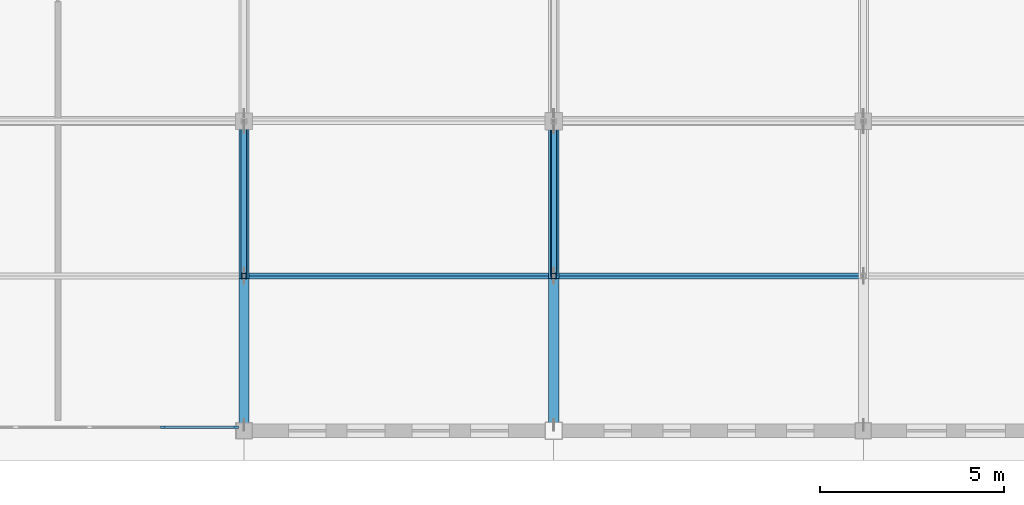
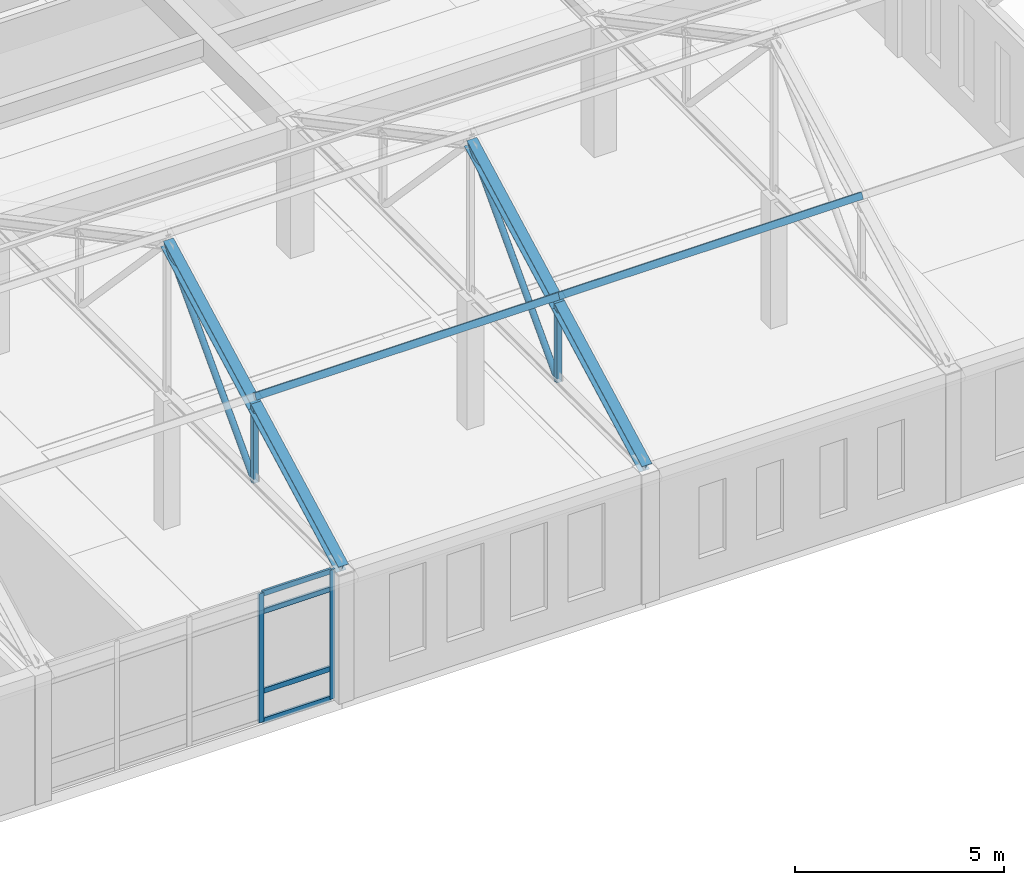
# One storey, part 8 of 47: 16 members, 1 element without a shape of its own.
"""IFC4 building model written with IfcOpenShell, lengths in metres."""

import ifcopenshell
import ifcopenshell.guid

model = None  # the IFC model being written
_history = None  # IfcOwnerHistory: only IFC2X3 demands one
_inside = {}  # id of a spatial element -> (the spatial element, [elements in it])
_under = {}  # id of a project, library or spatial element -> (it, [spatial elements below it])
_declared = {}  # id of a project -> (the project, [libraries it declares])
_typed = {}  # id of a type object -> (the type object, [elements of that type])
_made_of = {}  # id of a material, layer set ... -> (it, [elements and type objects made of it])


def new_model(schema):
    """Start an empty IFC model of exactly this schema.

    Asked for "IFC4X3", IfcOpenShell would pick the latest addendum, in which some entities
    have other attributes; the version numbers below select the first issue.
    IFC2X3 requires an IfcOwnerHistory on every rooted entity: one is made here for all.
    """
    global model, _history
    if schema == "IFC4X3":
        model = ifcopenshell.file(schema_version=(4, 3, 0, 0))
    else:
        model = ifcopenshell.file(schema=schema)
    _inside.clear()
    _under.clear()
    _declared.clear()
    _typed.clear()
    _made_of.clear()
    _history = None
    if model.schema == "IFC2X3":
        org = make("IfcOrganization", Name="unknown")
        user = make(
            "IfcPersonAndOrganization",
            ThePerson=make("IfcPerson", FamilyName="unknown"),
            TheOrganization=org,
        )
        app = make(
            "IfcApplication",
            ApplicationDeveloper=org,
            Version="unknown",
            ApplicationFullName="unknown",
            ApplicationIdentifier="unknown",
        )
        _history = make(
            "IfcOwnerHistory",
            OwningUser=user,
            OwningApplication=app,
            ChangeAction="ADDED",
            CreationDate=0,
        )
    return model


def make(cls, **values):
    """One entity of the class cls with the attributes given. An attribute that is None is left unset."""
    return model.create_entity(
        cls, **{name: value for name, value in values.items() if value is not None}
    )


def rooted(cls, **values):
    """An entity with a GlobalId (a new one), such as an element, a storey or a relation."""
    return make(cls, GlobalId=ifcopenshell.guid.new(), OwnerHistory=_history, **values)


def si_unit(unit_type, name, prefix=None):
    """IfcSIUnit, for example si_unit("LENGTHUNIT", "METRE", prefix="MILLI")."""
    return make("IfcSIUnit", UnitType=unit_type, Prefix=prefix, Name=name)


def assignment(units):
    """IfcUnitAssignment: the units of a project."""
    return None if units is None else make("IfcUnitAssignment", Units=units)


def point(xyz):
    """IfcCartesianPoint."""
    return None if xyz is None else make("IfcCartesianPoint", Coordinates=xyz)


def direction(xyz):
    """IfcDirection."""
    return None if xyz is None else make("IfcDirection", DirectionRatios=xyz)


def frame(location, z_axis=None, x_axis=None):
    """IfcAxis2Placement3D, a coordinate frame: its origin and axes. An axis left out is left unset."""
    return make(
        "IfcAxis2Placement3D",
        Location=point(location),
        Axis=direction(z_axis),
        RefDirection=direction(x_axis),
    )


def frame_2d(location, x_axis=None):
    """IfcAxis2Placement2D, a coordinate frame in the plane: its origin and x axis."""
    return make(
        "IfcAxis2Placement2D", Location=point(location), RefDirection=direction(x_axis)
    )


def origin():
    """The frame at (0, 0, 0) with its axes left unset."""
    return frame((0.0, 0.0, 0.0))


def origin_2d():
    """The frame at (0, 0) in the plane with its x axis left unset."""
    return frame_2d((0.0, 0.0))


def place(relative_to, where):
    """IfcLocalPlacement: puts the frame where relative to a parent placement (None: the world)."""
    return make(
        "IfcLocalPlacement", PlacementRelTo=relative_to, RelativePlacement=where
    )


def context(
    kind, dimensions, precision=None, world=None, true_north=None, identifier=None
):
    """IfcGeometricRepresentationContext, for example the 3D "Model" context."""
    return make(
        "IfcGeometricRepresentationContext",
        ContextIdentifier=identifier,
        ContextType=kind,
        CoordinateSpaceDimension=dimensions,
        Precision=precision,
        WorldCoordinateSystem=world,
        TrueNorth=true_north,
    )


def subcontext(parent, identifier, kind, view, scale=None):
    """IfcGeometricRepresentationSubContext, for example "Body" below "Model"."""
    return make(
        "IfcGeometricRepresentationSubContext",
        ContextIdentifier=identifier,
        ContextType=kind,
        ParentContext=parent,
        TargetScale=scale,
        TargetView=view,
    )


def project(units=None, contexts=None):
    """IfcProject with its units and contexts."""
    return rooted(
        "IfcProject",
        Name="project",
        RepresentationContexts=contexts,
        UnitsInContext=assignment(units),
    )


def spatial(cls, under=None, at=None, **own):
    """A site, building, storey or space (cls), placed at a placement, below another one or the project."""
    s = rooted(cls, ObjectPlacement=at, **own)
    if under is not None:
        _under.setdefault(under.id(), (under, []))[1].append(s)
    return s


def profile(cls, at=None, kind="AREA", **sizes):
    """A parametric profile (cls). Its sizes go by their IFC names, for example OverallWidth=200.0."""
    return make(cls, ProfileType=kind, Position=at, **sizes)


def rectangle(**sizes):
    """IfcRectangleProfileDef."""
    return profile("IfcRectangleProfileDef", **sizes)


def hollow_rectangle(**sizes):
    """IfcRectangleHollowProfileDef."""
    return profile("IfcRectangleHollowProfileDef", **sizes)


def hollow_circle(**sizes):
    """IfcCircleHollowProfileDef."""
    return profile("IfcCircleHollowProfileDef", **sizes)


def i_section(**sizes):
    """IfcIShapeProfileDef."""
    return profile("IfcIShapeProfileDef", **sizes)


def extrude(swept, where, along, depth):
    """IfcExtrudedAreaSolid: the profile swept, set in the frame where, extruded along a direction by depth."""
    return make(
        "IfcExtrudedAreaSolid",
        SweptArea=swept,
        Position=where,
        ExtrudedDirection=direction(along),
        Depth=depth,
    )


def shape(context_of_items, identifier, shape_type, items):
    """IfcShapeRepresentation: the items that make up one representation, for example the "Body"."""
    return make(
        "IfcShapeRepresentation",
        ContextOfItems=context_of_items,
        RepresentationIdentifier=identifier,
        RepresentationType=shape_type,
        Items=items,
    )


def material(Name=None, Category=None):
    """IfcMaterial."""
    return make("IfcMaterial", Name=Name, Category=Category)


def layer(
    of_material, thickness, ventilated=None, Name=None, Category=None, Priority=None
):
    """IfcMaterialLayer: one layer of a wall or slab, of a material (None: an air gap)."""
    return make(
        "IfcMaterialLayer",
        Material=of_material,
        LayerThickness=thickness,
        IsVentilated=ventilated,
        Name=Name,
        Category=Category,
        Priority=Priority,
    )


def layer_set(layers, Name=None):
    """IfcMaterialLayerSet."""
    return make("IfcMaterialLayerSet", MaterialLayers=layers, LayerSetName=Name)


def material_profile(
    of_material, cross_section, Name=None, Category=None, Priority=None
):
    """IfcMaterialProfile: a cross section and its material."""
    return make(
        "IfcMaterialProfile",
        Name=Name,
        Material=of_material,
        Profile=cross_section,
        Priority=Priority,
        Category=Category,
    )


def profile_set(profiles, Name=None, composite=None):
    """IfcMaterialProfileSet."""
    return make(
        "IfcMaterialProfileSet",
        Name=Name,
        MaterialProfiles=profiles,
        CompositeProfile=composite,
    )


def made_of(thing, what):
    """Note that an element or type object is made of a material, layer set ...; save() writes the relation."""
    if what is not None:
        _made_of.setdefault(what.id(), (what, []))[1].append(thing)
    return thing


def type_object(cls, material=None, **own):
    """A type object (cls), such as IfcWallType, which elements share."""
    return made_of(rooted(cls, **own), material)


def element(
    cls,
    number,
    at=None,
    inside=None,
    cuts=None,
    type_object=None,
    material=None,
    context=None,
    identifier="Body",
    shape_type=None,
    held_by="IfcProductDefinitionShape",
    body=None,
    shapes=None,
    **own,
):
    """One element of the class cls, such as IfcWall. Its Tag is "e" and its number.

    at: its placement. inside: the storey or other place that contains it. cuts: it is an
    opening in that element (IfcRelVoidsElement). A single representation is given by context,
    identifier, shape_type and body (its items); several are given by shapes. held_by: the class
    of the entity that holds the representations. save() writes the other relations.
    """
    e = rooted(cls, Tag="e%d" % number, ObjectPlacement=at, **own)
    if body is not None:
        shapes = [shape(context, identifier, shape_type, body)]
    if shapes is not None:
        e.Representation = make(held_by, Representations=shapes)
    if inside is not None:
        _inside.setdefault(inside.id(), (inside, []))[1].append(e)
    if cuts is not None:
        rooted(
            "IfcRelVoidsElement", RelatingBuildingElement=cuts, RelatedOpeningElement=e
        )
    if type_object is not None:
        _typed.setdefault(type_object.id(), (type_object, []))[1].append(e)
    return made_of(e, material)


def aggregate(whole, parts):
    """IfcRelAggregates: a whole, such as a stair, and the parts it consists of."""
    return rooted("IfcRelAggregates", RelatingObject=whole, RelatedObjects=parts)


def save(model, path):
    """Write the relations noted so far, then the file.

    IfcRelAggregates (storeys below a building ...), IfcRelContainedInSpatialStructure (elements
    in a storey), IfcRelDefinesByType, IfcRelAssociatesMaterial and IfcRelDeclares: one each for
    every whole, place, type object, material and project.
    """
    for whole, parts in _under.values():
        aggregate(whole, parts)
    for where, things in _inside.values():
        rooted(
            "IfcRelContainedInSpatialStructure",
            RelatedElements=things,
            RelatingStructure=where,
        )
    for kind, things in _typed.values():
        rooted("IfcRelDefinesByType", RelatedObjects=things, RelatingType=kind)
    for what, things in _made_of.values():
        rooted("IfcRelAssociatesMaterial", RelatedObjects=things, RelatingMaterial=what)
    for by, libraries in _declared.values():
        rooted("IfcRelDeclares", RelatingContext=by, RelatedDefinitions=libraries)
    model.write(path)


model = new_model("IFC4")

# Units and contexts
model_context = context("Model", 3, precision=1e-05, world=origin(), true_north=direction((0.0, 1.0)))
body_context = subcontext(model_context, "Body", "Model", "MODEL_VIEW")
ifc_project = project(units=[si_unit("LENGTHUNIT", "METRE"), si_unit("AREAUNIT", "SQUARE_METRE"), si_unit("VOLUMEUNIT", "CUBIC_METRE"), si_unit("PLANEANGLEUNIT", "RADIAN"), si_unit("MASSUNIT", "GRAM", prefix="KILO")], contexts=[model_context])

# Site, building, storey
site_placement = place(None, origin())
site = spatial("IfcSite", under=ifc_project, at=site_placement, CompositionType="ELEMENT")
building_placement = place(site_placement, origin())
building = spatial("IfcBuilding", under=site, at=building_placement, Name="Kveldsbrygga Polytechnic", CompositionType="ELEMENT")
storey_placement = place(building_placement, frame((0.0, 0.0, 13.93994140625)))
storey = spatial("IfcBuildingStorey", under=building, at=storey_placement, Name="L03", CompositionType="ELEMENT", Elevation=13.93994140625)

# Members
ifc_material_1 = material(Name="Steel S355", Category="steel")
ifc_material_profile_1 = material_profile(ifc_material_1, hollow_circle(Radius=0.084228515625, WallThickness=0.010009765625, at=origin_2d()), Name="CHS 168.3x10.0")
ifc_profile_set_1 = profile_set([ifc_material_profile_1], Name="Steel S355")
member_type_1 = type_object("IfcMemberType", Name="BR-WIND-CHS168", PredefinedType="BRACE", material=ifc_profile_set_1)
for number, where, z_axis, x_axis, name in (
    (1, (142.800048828125, 4.199951171875, 3.780029296875), (0.0, 0.686383320151, 0.727239945148), (-1.0, 0.0, 0.0), "Truss Diagonal V4S4-T03-DG-2"),
    (2, (151.199951171875, 4.199951171875, 3.780029296875), (0.0, 0.686383320151, 0.727239945148), (-1.0, 0.0, 0.0), "Truss Diagonal V4S4-T04-DG-2"),
):
    element("IfcMember", number, at=place(storey_placement, frame(where, z_axis=z_axis, x_axis=x_axis)), inside=storey, type_object=member_type_1, Name=name, PredefinedType="BRACE", context=body_context, shape_type="SweptSolid", body=[
        extrude(hollow_circle(Radius=0.084228515625, WallThickness=0.010009765625, at=origin_2d()), origin(), (0.0, 0.0, 1.0), 6.118896484375),
    ])

# Curtain wall, members
ifc_material_2 = material(Name="Anodised aluminium AW-6060", Category="aluminium")
ifc_layer = layer(ifc_material_2, 0.199951171875)
ifc_layer_set = layer_set([ifc_layer], Name="Anodised aluminium AW-6060")
curtain_wall_type = type_object("IfcCurtainWallType", Name="CW-LANC-E", PredefinedType="USERDEFINED", material=ifc_layer_set)
curtain_wall_placement = place(storey_placement, origin())
curtain_wall = element("IfcCurtainWall", 3, at=curtain_wall_placement, inside=storey, type_object=curtain_wall_type, Name="Curtain Wall CW-L03-X-16-00", ObjectType="UNITISED CURTAIN WALL", PredefinedType="USERDEFINED")
ifc_material_profile_2 = material_profile(ifc_material_2, rectangle(XDim=0.06005859375, YDim=0.139892578125, at=origin_2d()), Name="ALU 60x140")
ifc_profile_set_2 = profile_set([ifc_material_profile_2], Name="Anodised aluminium AW-6060")
member_type_2 = type_object("IfcMemberType", Name="CW-MUL-140", PredefinedType="MULLION", material=ifc_profile_set_2)
member_1_placement = place(storey_placement, frame((140.606201171875, 0.10009765625, 0.0), z_axis=(0.0, 0.0, 1.0), x_axis=(0.0, 1.0, 0.0)))
member_1 = element("IfcMember", 4, at=member_1_placement, type_object=member_type_2, Name="CW-05 mullion 4", PredefinedType="MULLION", context=body_context, shape_type="SweptSolid", body=[
    extrude(rectangle(XDim=0.06005859375, YDim=0.139892578125, at=origin_2d()), origin(), (0.0, 0.0, 1.0), 3.780029296875),
])
member_2_placement = place(storey_placement, frame((142.574951171875, 0.10009765625, 0.0), z_axis=(0.0, 0.0, 1.0), x_axis=(0.0, 1.0, 0.0)))
member_2 = element("IfcMember", 5, at=member_2_placement, type_object=member_type_2, Name="CW-05 mullion 5", PredefinedType="MULLION", context=body_context, shape_type="SweptSolid", body=[
    extrude(rectangle(XDim=0.06005859375, YDim=0.139892578125, at=origin_2d()), origin(), (0.0, 0.0, 1.0), 3.780029296875),
])
ifc_material_profile_3 = material_profile(ifc_material_2, rectangle(XDim=0.06005859375, YDim=0.14990234375, at=origin_2d()), Name="ALU 60x150")
ifc_profile_set_3 = profile_set([ifc_material_profile_3], Name="Anodised aluminium AW-6060")
member_type_3 = type_object("IfcMemberType", Name="CW-TRN-150", PredefinedType="USERDEFINED", material=ifc_profile_set_3)
member_3_placement = place(storey_placement, frame((140.63623046875, 0.10009765625, 0.030029296875), z_axis=(1.0, 0.0, 0.0), x_axis=(0.0, 1.0, 0.0)))
member_3 = element("IfcMember", 6, at=member_3_placement, type_object=member_type_3, Name="CW-05 transom 4.1", ObjectType="TRANSOM", PredefinedType="USERDEFINED", context=body_context, shape_type="SweptSolid", body=[
    extrude(rectangle(XDim=0.06005859375, YDim=0.14990234375, at=origin_2d()), origin(), (0.0, 0.0, 1.0), 1.90869140625),
])
member_4_placement = place(storey_placement, frame((140.63623046875, 0.10009765625, 0.900146484375), z_axis=(1.0, 0.0, 0.0), x_axis=(0.0, 1.0, 0.0)))
member_4 = element("IfcMember", 7, at=member_4_placement, type_object=member_type_3, Name="CW-05 transom 4.2", ObjectType="TRANSOM", PredefinedType="USERDEFINED", context=body_context, shape_type="SweptSolid", body=[
    extrude(rectangle(XDim=0.06005859375, YDim=0.14990234375, at=origin_2d()), origin(), (0.0, 0.0, 1.0), 1.90869140625),
])
member_5_placement = place(storey_placement, frame((140.63623046875, 0.10009765625, 3.22998046875), z_axis=(1.0, 0.0, 0.0), x_axis=(0.0, 1.0, 0.0)))
member_5 = element("IfcMember", 8, at=member_5_placement, type_object=member_type_3, Name="CW-05 transom 4.3", ObjectType="TRANSOM", PredefinedType="USERDEFINED", context=body_context, shape_type="SweptSolid", body=[
    extrude(rectangle(XDim=0.06005859375, YDim=0.14990234375, at=origin_2d()), origin(), (0.0, 0.0, 1.0), 1.90869140625),
])
member_6_placement = place(storey_placement, frame((140.63623046875, 0.10009765625, 3.75), z_axis=(1.0, 0.0, 0.0), x_axis=(0.0, 1.0, 0.0)))
member_6 = element("IfcMember", 9, at=member_6_placement, type_object=member_type_3, Name="CW-05 transom 4.4", ObjectType="TRANSOM", PredefinedType="USERDEFINED", context=body_context, shape_type="SweptSolid", body=[
    extrude(rectangle(XDim=0.06005859375, YDim=0.14990234375, at=origin_2d()), origin(), (0.0, 0.0, 1.0), 1.90869140625),
])
aggregate(curtain_wall, [member_1, member_2, member_3, member_4, member_5, member_6])

# Members
ifc_material_profile_4 = material_profile(ifc_material_1, hollow_rectangle(XDim=0.10009765625, YDim=0.179931640625, WallThickness=0.008056640625, at=origin_2d()), Name="RHS 180x100x8.0")
ifc_profile_set_4 = profile_set([ifc_material_profile_4], Name="Steel S355")
member_type_4 = type_object("IfcMemberType", Name="PRL-RHS180", PredefinedType="PURLIN", material=ifc_profile_set_4)
member_7_placement = place(storey_placement, frame((142.800048828125, 4.199951171875, 6.265380859375), z_axis=(1.0, 0.0, 0.0), x_axis=(0.0, 0.883660254474, -0.468128779998)))
element("IfcMember", 10, at=member_7_placement, inside=storey, type_object=member_type_4, Name="Roof Purlin V4S4-PRL-3-1", PredefinedType="PURLIN", context=body_context, shape_type="SweptSolid", body=[
    extrude(hollow_rectangle(XDim=0.10009765625, YDim=0.179931640625, WallThickness=0.008056640625, at=origin_2d()), origin(), (0.0, 0.0, 1.0), 8.39990234375),
])
member_8_placement = place(storey_placement, frame((151.199951171875, 4.199951171875, 6.265380859375), z_axis=(1.0, 0.0, 0.0), x_axis=(0.0, 0.883660254474, -0.468128779998)))
element("IfcMember", 11, at=member_8_placement, inside=storey, type_object=member_type_4, Name="Roof Purlin V4S4-PRL-4-1", PredefinedType="PURLIN", context=body_context, shape_type="SweptSolid", body=[
    extrude(hollow_rectangle(XDim=0.10009765625, YDim=0.179931640625, WallThickness=0.008056640625, at=origin_2d()), origin(), (0.0, 0.0, 1.0), 8.400146484375),
])
ifc_material_profile_5 = material_profile(ifc_material_1, hollow_rectangle(XDim=0.139892578125, YDim=0.139892578125, WallThickness=0.008056640625, at=origin_2d()), Name="SHS 140x140x8.0")
ifc_profile_set_5 = profile_set([ifc_material_profile_5], Name="Steel S355")
member_type_5 = type_object("IfcMemberType", Name="TR-POST-SHS140", PredefinedType="STRUT", material=ifc_profile_set_5)
for number, where, z_axis, x_axis, name in (
    (12, (142.800048828125, 4.199951171875, 3.780029296875), (0.0, 0.0, 1.0), (1.0, 0.0, 0.0), "Truss Vertical V4S4-T03-VT-1"),
    (13, (151.199951171875, 4.199951171875, 3.780029296875), (0.0, 0.0, 1.0), (1.0, 0.0, 0.0), "Truss Vertical V4S4-T04-VT-1"),
):
    element("IfcMember", number, at=place(storey_placement, frame(where, z_axis=z_axis, x_axis=x_axis)), inside=storey, type_object=member_type_5, Name=name, PredefinedType="STRUT", context=body_context, shape_type="SweptSolid", body=[
        extrude(hollow_rectangle(XDim=0.139892578125, YDim=0.139892578125, WallThickness=0.008056640625, at=origin_2d()), origin(), (0.0, 0.0, 1.0), 2.22509765625),
    ])
ifc_material_profile_6 = material_profile(ifc_material_1, i_section(OverallWidth=0.280029296875, OverallDepth=0.280029296875, WebThickness=0.010498046875, FlangeThickness=0.01806640625, FilletRadius=0.02392578125, at=origin_2d()), Name="HEB 280")
ifc_profile_set_6 = profile_set([ifc_material_profile_6], Name="Steel S355")
member_type_6 = type_object("IfcMemberType", Name="TR-TOP-HEB280", PredefinedType="CHORD", material=ifc_profile_set_6)
for number, where, z_axis, x_axis, name in (
    (14, (142.800048828125, 0.0, 3.780029296875), (0.0, 0.883649189339, 0.468149666432), (-1.0, 0.0, 0.0), "Truss Top Chord V4S4-T03-TC-1"),
    (15, (142.800048828125, 4.199951171875, 6.005126953125), (0.0, 0.883670438028, 0.468109556574), (-1.0, 0.0, 0.0), "Truss Top Chord V4S4-T03-TC-2"),
    (16, (151.199951171875, 0.0, 3.780029296875), (0.0, 0.883649189339, 0.468149666432), (-1.0, 0.0, 0.0), "Truss Top Chord V4S4-T04-TC-1"),
    (17, (151.199951171875, 4.199951171875, 6.005126953125), (0.0, 0.883670438028, 0.468109556574), (-1.0, 0.0, 0.0), "Truss Top Chord V4S4-T04-TC-2"),
):
    element("IfcMember", number, at=place(storey_placement, frame(where, z_axis=z_axis, x_axis=x_axis)), inside=storey, type_object=member_type_6, Name=name, PredefinedType="CHORD", context=body_context, shape_type="SweptSolid", body=[
        extrude(i_section(OverallWidth=0.280029296875, OverallDepth=0.280029296875, WebThickness=0.010498046875, FlangeThickness=0.01806640625, FilletRadius=0.02392578125, at=origin_2d()), origin(), (0.0, 0.0, 1.0), 4.7529296875),
    ])

save(model, "model.ifc")
